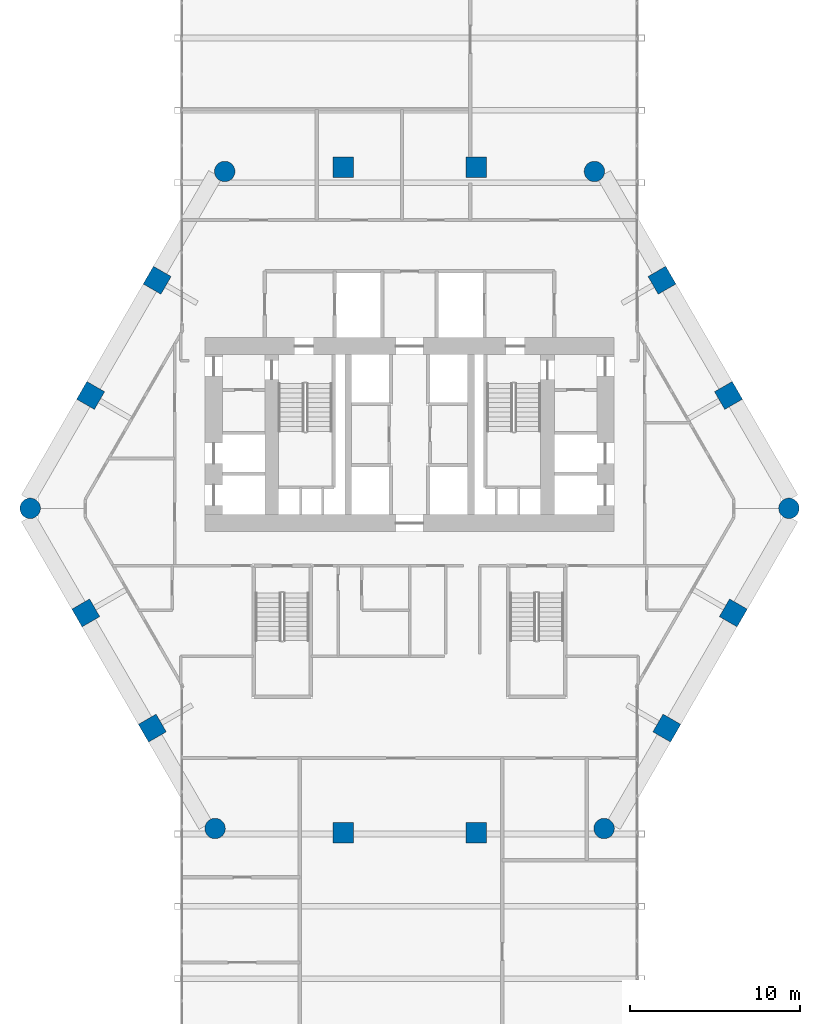
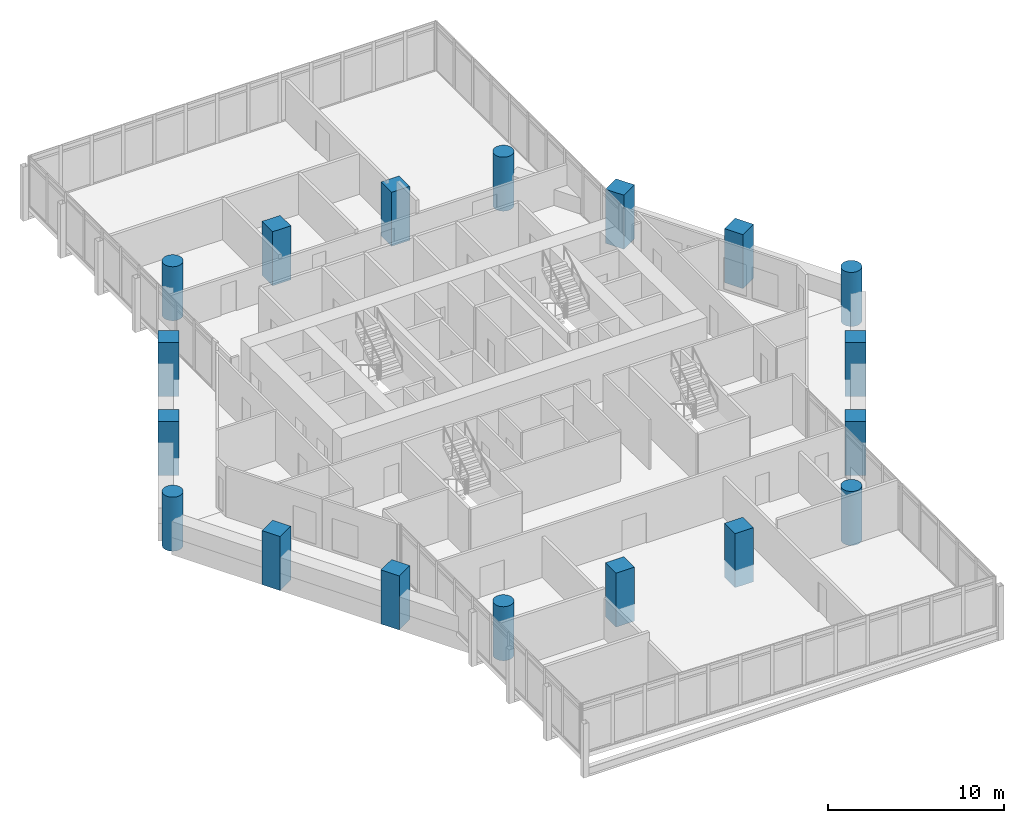
# One storey, part 1 of 28: 18 columns.
"""IFC4 building model written with IfcOpenShell, lengths in metres."""

from ifc_helpers import new_model, si_unit, direction, frame, origin, origin_2d, place, context, subcontext, project, spatial, rectangle, circle, extrude, material, material_profile, profile_set, type_object, element, save


model = new_model("IFC4")

# Units and contexts
model_context = context("Model", 3, precision=1e-05, world=origin(), true_north=direction((0.0, 1.0)))
body_context = subcontext(model_context, "Body", "Model", "MODEL_VIEW")
ifc_project = project(units=[si_unit("LENGTHUNIT", "METRE"), si_unit("AREAUNIT", "SQUARE_METRE"), si_unit("VOLUMEUNIT", "CUBIC_METRE"), si_unit("PLANEANGLEUNIT", "RADIAN"), si_unit("MASSUNIT", "GRAM", prefix="KILO")], contexts=[model_context])

# Site, building, storey
site_placement = place(None, origin())
site = spatial("IfcSite", under=ifc_project, at=site_placement, CompositionType="ELEMENT")
building_placement = place(site_placement, origin())
building = spatial("IfcBuilding", under=site, at=building_placement, Name="Ostrander Bayou Hotel Tower", CompositionType="ELEMENT")
storey_placement = place(building_placement, frame((0.0, 0.0, 100.5)))
storey = spatial("IfcBuildingStorey", under=building, at=storey_placement, Name="L25", CompositionType="ELEMENT", Elevation=100.5)

# Columns
ifc_material_1 = material(Name="Concrete f'c 70 MPa", Category="concrete")
ifc_material_profile_1 = material_profile(ifc_material_1, circle(Radius=0.60009765625, at=origin_2d()))
ifc_profile_set_1 = profile_set([ifc_material_profile_1], Name="Concrete f'c 70 MPa")
column_type_1 = type_object("IfcColumnType", Name="C3 round column 1200 mm f'c 70 MPa", PredefinedType="COLUMN", material=ifc_profile_set_1)
for number, where, z_axis, x_axis, name in (
    (1, (-10.856689453125, 19.458740234375, -1.199951171875), (0.0, 0.0, 1.0), (1.0, 0.0, 0.0), "C3 L25 K0"),
    (2, (-22.2802734375, -0.327392578125, -1.199951171875), (0.0, 0.0, 1.0), (1.0, 0.0, 0.0), "C3 L25 K1"),
    (3, (-11.423583984375, -19.131591796875, -1.199951171875), (0.0, 0.0, 1.0), (1.0, 0.0, 0.0), "C3 L25 K2"),
    (4, (11.423583984375, -19.131591796875, -1.199951171875), (0.0, 0.0, 1.0), (1.0, 0.0, 0.0), "C3 L25 K3"),
    (5, (22.2802734375, -0.327392578125, -1.199951171875), (0.0, 0.0, 1.0), (1.0, 0.0, 0.0), "C3 L25 K4"),
    (6, (10.856689453125, 19.458740234375, -1.199951171875), (0.0, 0.0, 1.0), (1.0, 0.0, 0.0), "C3 L25 K5"),
):
    element("IfcColumn", number, at=place(storey_placement, frame(where, z_axis=z_axis, x_axis=x_axis)), inside=storey, type_object=column_type_1, Name=name, PredefinedType="COLUMN", context=body_context, shape_type="SweptSolid", body=[
        extrude(circle(Radius=0.60009765625, at=origin_2d()), origin(), (0.0, 0.0, 1.0), 3.75),
    ])
ifc_material_2 = material(Name="Concrete f'c 70 MPa", Category="concrete")
ifc_material_profile_2 = material_profile(ifc_material_2, rectangle(XDim=1.199951171875, YDim=1.199951171875, at=origin_2d()))
ifc_profile_set_2 = profile_set([ifc_material_profile_2], Name="Concrete f'c 70 MPa")
column_type_2 = type_object("IfcColumnType", Name="C4 square column 1200 x 1200 mm f'c 70 MPa", PredefinedType="COLUMN", material=ifc_profile_set_2)
for number, where, z_axis, x_axis, name in (
    (7, (3.90673828125, 19.699951171875, -1.199951171875), (0.0, 0.0, 1.0), (1.0, 0.0, 0.0), "C4 L25 N1"),
    (8, (-3.90673828125, 19.699951171875, -1.199951171875), (0.0, 0.0, 1.0), (1.0, 0.0, 0.0), "C4 L25 N2"),
    (9, (-14.823974609375, 13.069580078125, -1.199951171875), (0.0, 0.0, 1.0), (0.5, 0.866025403784, 0.0), "C4 L25 NW1"),
    (10, (-18.730712890625, 6.302978515625, -1.199951171875), (0.0, 0.0, 1.0), (0.5, 0.866025403784, 0.0), "C4 L25 NW2"),
    (11, (-19.01416015625, -6.466796875, -1.199951171875), (0.0, 0.0, 1.0), (-0.5, 0.866025403784, 0.0), "C4 L25 SW1"),
    (12, (-15.107421875, -13.2333984375, -1.199951171875), (0.0, 0.0, 1.0), (-0.5, 0.866025403784, 0.0), "C4 L25 SW2"),
    (13, (-3.90673828125, -19.372802734375, -1.199951171875), (0.0, 0.0, 1.0), (-1.0, 0.0, 0.0), "C4 L25 S1"),
    (14, (3.90673828125, -19.372802734375, -1.199951171875), (0.0, 0.0, 1.0), (-1.0, 0.0, 0.0), "C4 L25 S2"),
    (15, (15.107421875, -13.2333984375, -1.199951171875), (0.0, 0.0, 1.0), (-0.5, -0.866025403784, 0.0), "C4 L25 SE1"),
    (16, (19.01416015625, -6.466796875, -1.199951171875), (0.0, 0.0, 1.0), (-0.5, -0.866025403784, 0.0), "C4 L25 SE2"),
    (17, (18.730712890625, 6.302978515625, -1.199951171875), (0.0, 0.0, 1.0), (0.5, -0.866025403784, 0.0), "C4 L25 NE1"),
    (18, (14.823974609375, 13.069580078125, -1.199951171875), (0.0, 0.0, 1.0), (0.5, -0.866025403784, 0.0), "C4 L25 NE2"),
):
    element("IfcColumn", number, at=place(storey_placement, frame(where, z_axis=z_axis, x_axis=x_axis)), inside=storey, type_object=column_type_2, Name=name, PredefinedType="COLUMN", context=body_context, shape_type="SweptSolid", body=[
        extrude(rectangle(XDim=1.199951171875, YDim=1.199951171875, at=origin_2d()), origin(), (0.0, 0.0, 1.0), 3.75),
    ])

save(model, "model.ifc")
